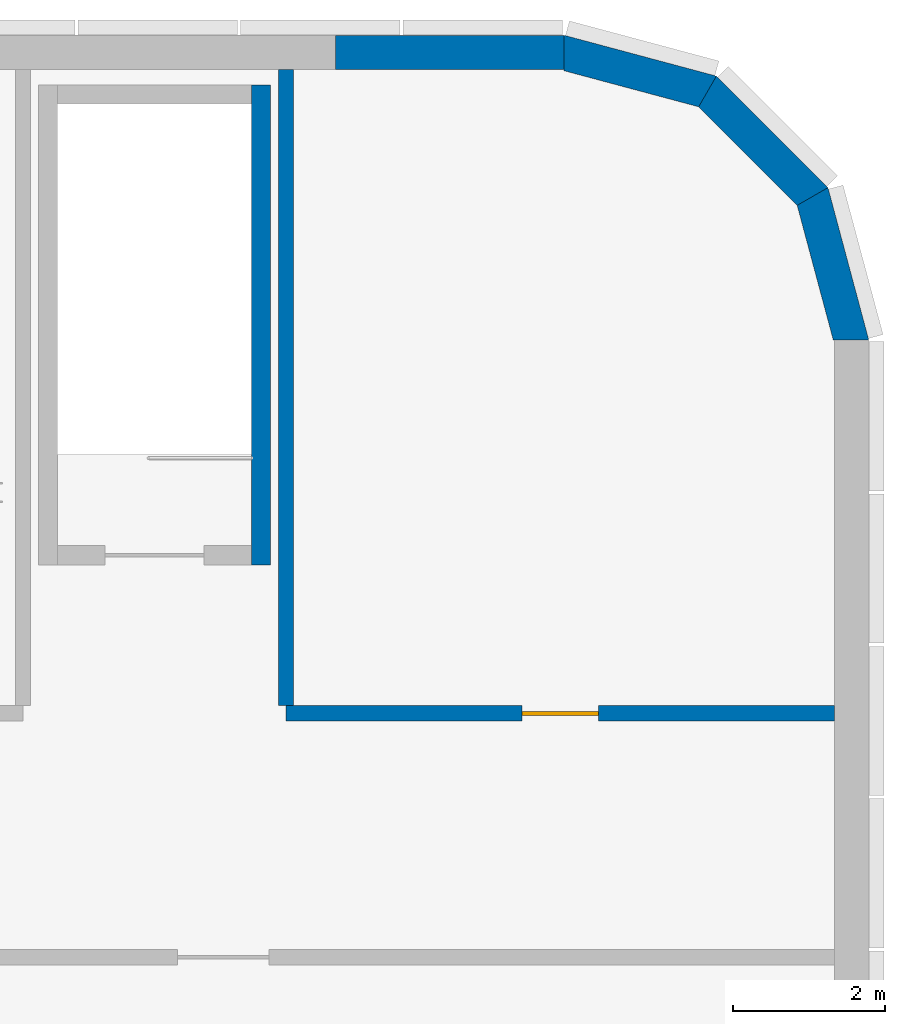
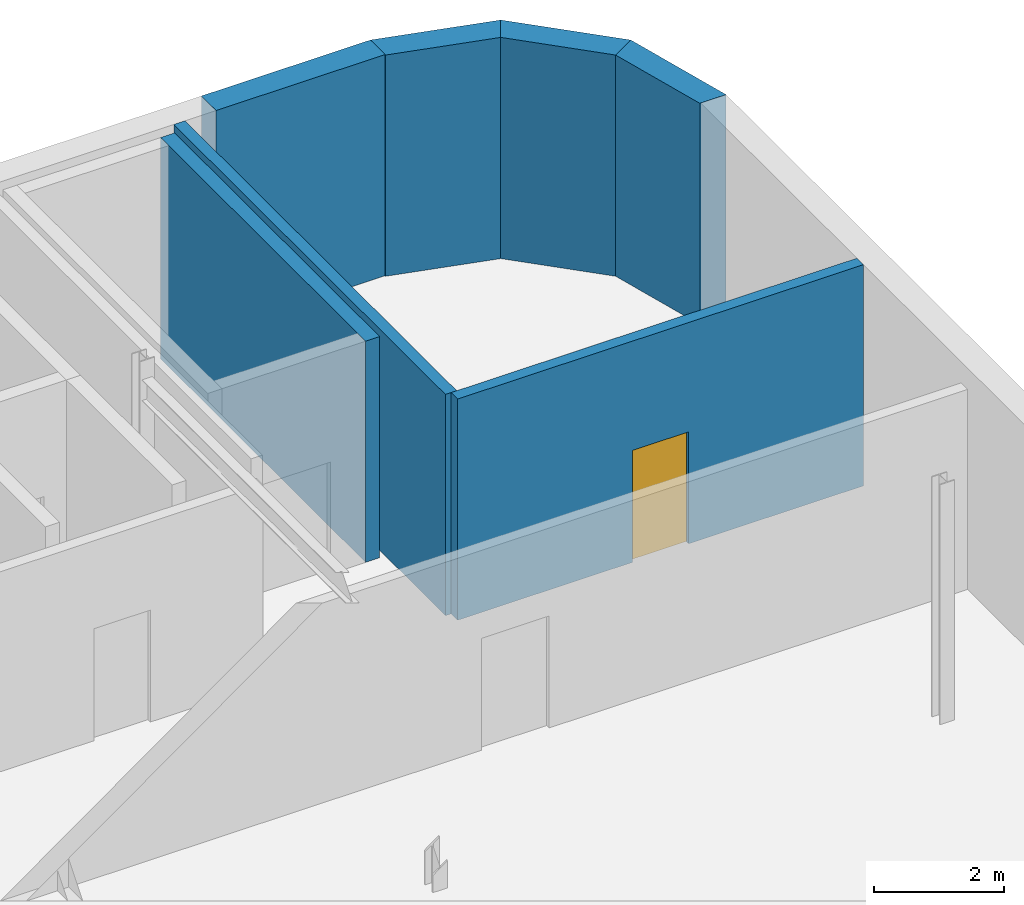
# One storey, part 3 of 4: 7 walls, 1 door, 1 opening.
"""IFC4 building model written with IfcOpenShell, lengths in metres."""

from ifc_helpers import new_model, si_unit, direction, frame, frame_2d, origin, place, context, subcontext, project, spatial, polyline, rectangle, outline, extrude, material, layer, layer_set, type_object, element, fill, save


model = new_model("IFC4")

# Units and contexts
model_context = context("Model", 3, precision=1e-05, world=origin(), true_north=direction((0.0, 1.0)))
body_context = subcontext(model_context, "Body", "Model", "MODEL_VIEW")
ifc_project = project(units=[si_unit("LENGTHUNIT", "METRE"), si_unit("AREAUNIT", "SQUARE_METRE"), si_unit("VOLUMEUNIT", "CUBIC_METRE"), si_unit("PLANEANGLEUNIT", "RADIAN"), si_unit("MASSUNIT", "GRAM", prefix="KILO")], contexts=[model_context])

# Site, building, storey
site_placement = place(None, origin())
site = spatial("IfcSite", under=ifc_project, at=site_placement, CompositionType="ELEMENT")
building_placement = place(site_placement, origin())
building = spatial("IfcBuilding", under=site, at=building_placement, Name="Kajstack Hotel Tower", CompositionType="ELEMENT")
storey_placement = place(building_placement, frame((0.0, 0.0, 329.800048828125)))
storey = spatial("IfcBuildingStorey", under=building, at=storey_placement, Name="RF", CompositionType="ELEMENT", Elevation=329.800048828125)

# Walls
ifc_material_1 = material(Name="Concrete C40/50", Category="concrete")
ifc_layer_1 = layer(ifc_material_1, 0.449951171875)
ifc_layer_set_1 = layer_set([ifc_layer_1], Name="EW-CORE")
wall_type_1 = type_object("IfcWallType", Name="EW-CORE", PredefinedType="SOLIDWALL", material=ifc_layer_set_1)
wall_1_placement = place(storey_placement, frame((16.5, 10.27490234375, 0.0), z_axis=(0.0, 0.0, 1.0), x_axis=(-1.0, 0.0, 0.0)))
element("IfcWall", 1, at=wall_1_placement, inside=storey, type_object=wall_type_1, Name="E-wall-RF-11-00", PredefinedType="SOLIDWALL", context=body_context, shape_type="SweptSolid", body=[
    extrude(rectangle(XDim=3.0, YDim=0.449951171875, at=frame_2d((1.5, 0.0))), origin(), (0.0, 0.0, 1.0), 4.14990234375),
])
ifc_material_2 = material(Name="Zinc-clad block masonry", Category="masonry")
ifc_layer_2 = layer(ifc_material_2, 0.449951171875)
ifc_layer_set_2 = layer_set([ifc_layer_2], Name="EW-ZINC")
wall_type_2 = type_object("IfcWallType", Name="EW-ZINC", PredefinedType="SOLIDWALL", material=ifc_layer_set_2)
wall_2_placement = place(storey_placement, frame((20.28271484375, 6.441650390625, 0.0), z_axis=(0.0, 0.0, 1.0), x_axis=(-0.25881466832, 0.965926999034, 0.0)))
element("IfcWall", 2, at=wall_2_placement, inside=storey, type_object=wall_type_2, Name="E-wall-RF-08-00", PredefinedType="SOLIDWALL", context=body_context, shape_type="SweptSolid", body=[
    extrude(outline(polyline([(0.000244140625, -0.22509765625), (2.070556640625, -0.224853515625), (1.9501953125, 0.22509765625), (0.12060546875, 0.22509765625), (0.000244140625, -0.22509765625)])), origin(), (0.0, 0.0, 1.0), 4.14990234375),
])
wall_3_placement = place(storey_placement, frame((19.804931640625, 8.3408203125, 0.0), z_axis=(0.0, 0.0, 1.0), x_axis=(-0.707106781187, 0.707106781187, 0.0)))
element("IfcWall", 3, at=wall_3_placement, inside=storey, type_object=wall_type_2, Name="E-wall-RF-09-00", PredefinedType="SOLIDWALL", context=body_context, shape_type="SweptSolid", body=[
    extrude(outline(polyline([(0.0, -0.22509765625), (2.070556640625, -0.22509765625), (1.949951171875, 0.224853515625), (0.12060546875, 0.224853515625), (0.0, -0.22509765625)])), origin(), (0.0, 0.0, 1.0), 4.14990234375),
])
wall_4_placement = place(storey_placement, frame((18.441650390625, 9.746826171875, 0.0), z_axis=(0.0, 0.0, 1.0), x_axis=(-0.965926999034, 0.25881466832, 0.0)))
element("IfcWall", 4, at=wall_4_placement, inside=storey, type_object=wall_type_2, Name="E-wall-RF-10-00", PredefinedType="SOLIDWALL", context=body_context, shape_type="SweptSolid", body=[
    extrude(outline(polyline([(-0.000244140625, -0.224853515625), (2.0703125, -0.22509765625), (1.949951171875, 0.22509765625), (0.120361328125, 0.22509765625), (-0.000244140625, -0.224853515625)])), origin(), (0.0, 0.0, 1.0), 4.14990234375),
])
ifc_material_3 = material(Name="Gypsum board on steel studs, mineral wool", Category="steel")
ifc_layer_3 = layer(ifc_material_3, 0.199951171875)
ifc_layer_set_3 = layer_set([ifc_layer_3], Name="Public partition 200")
wall_type_3 = type_object("IfcWallType", Name="Public partition 200", PredefinedType="PARTITIONING", material=ifc_layer_set_3)
wall_5_placement = place(storey_placement, frame((12.85009765625, 1.699951171875, 0.0), z_axis=(0.0, 0.0, 1.0), x_axis=(0.0, 1.0, 0.0)))
element("IfcWall", 5, at=wall_5_placement, inside=storey, type_object=wall_type_3, Name="Partition SX0", PredefinedType="PARTITIONING", context=body_context, shape_type="SweptSolid", body=[
    extrude(rectangle(XDim=8.35009765625, YDim=0.199951171875, at=frame_2d((4.175048828125, 0.0))), origin(), (0.0, 0.0, 1.0), 4.14990234375),
])

# Wall, opening, door
wall_6_placement = place(storey_placement, frame((12.85009765625, 1.60009765625, 0.0), z_axis=(0.0, 0.0, 1.0), x_axis=(1.0, 0.0, 0.0)))
wall_6 = element("IfcWall", 6, at=wall_6_placement, inside=storey, type_object=wall_type_3, Name="Partition SFW0", PredefinedType="PARTITIONING", context=body_context, shape_type="SweptSolid", body=[
    extrude(rectangle(XDim=7.199951171875, YDim=0.199951171875, at=frame_2d((3.60009765625, 0.0))), origin(), (0.0, 0.0, 1.0), 4.14990234375),
])
opening_placement = place(wall_6_placement, frame((3.10009765625, 0.0, 0.0)))
opening = element("IfcOpeningElement", 7, at=opening_placement, cuts=wall_6, Name="Opening FP04", PredefinedType="OPENING", context=body_context, shape_type="SweptSolid", body=[
    extrude(rectangle(XDim=1.0, YDim=2.10009765625, at=frame_2d((0.5, 1.050048828125))), frame((0.0, 0.10986328125, 0.0), z_axis=(0.0, -1.0, 0.0), x_axis=(1.0, 0.0, 0.0)), (0.0, 0.0, 1.0), 0.219970703125),
])
ifc_material_4 = material(Name="Timber leaf", Category="wood")
door_type = type_object("IfcDoorType", Name="Public room door 1000", OperationType="SINGLE_SWING_LEFT", PredefinedType="DOOR", material=ifc_material_4)
door_placement = place(opening_placement, origin())
door = element("IfcDoor", 8, at=door_placement, inside=storey, type_object=door_type, Name="Door FP04", OperationType="SINGLE_SWING_LEFT", OverallHeight=2.10009765625, OverallWidth=1.0, PredefinedType="DOOR", context=body_context, shape_type="SweptSolid", body=[
    extrude(rectangle(XDim=1.0, YDim=2.10009765625, at=frame_2d((0.5, 1.050048828125))), frame((0.0, 0.02490234375, 0.0), z_axis=(0.0, -1.0, 0.0), x_axis=(1.0, 0.0, 0.0)), (0.0, 0.0, 1.0), 0.050048828125),
])
fill(opening, door)

# Wall
ifc_layer_4 = layer(ifc_material_1, 0.25)
ifc_layer_set_4 = layer_set([ifc_layer_4], Name="Stair enclosure wall 250")
wall_type_4 = type_object("IfcWallType", Name="Stair enclosure wall 250", PredefinedType="SHEAR", material=ifc_layer_set_4)
wall_7_placement = place(storey_placement, frame((12.52490234375, 3.550048828125, 0.0), z_axis=(0.0, 0.0, 1.0), x_axis=(0.0, 1.0, 0.0)))
element("IfcWall", 9, at=wall_7_placement, inside=storey, type_object=wall_type_4, Name="Stair wall R2 E", PredefinedType="SHEAR", context=body_context, shape_type="SweptSolid", body=[
    extrude(rectangle(XDim=6.300048828125, YDim=0.25, at=frame_2d((3.14990234375, 0.0))), origin(), (0.0, 0.0, 1.0), 4.14990234375),
])

save(model, "model.ifc")
